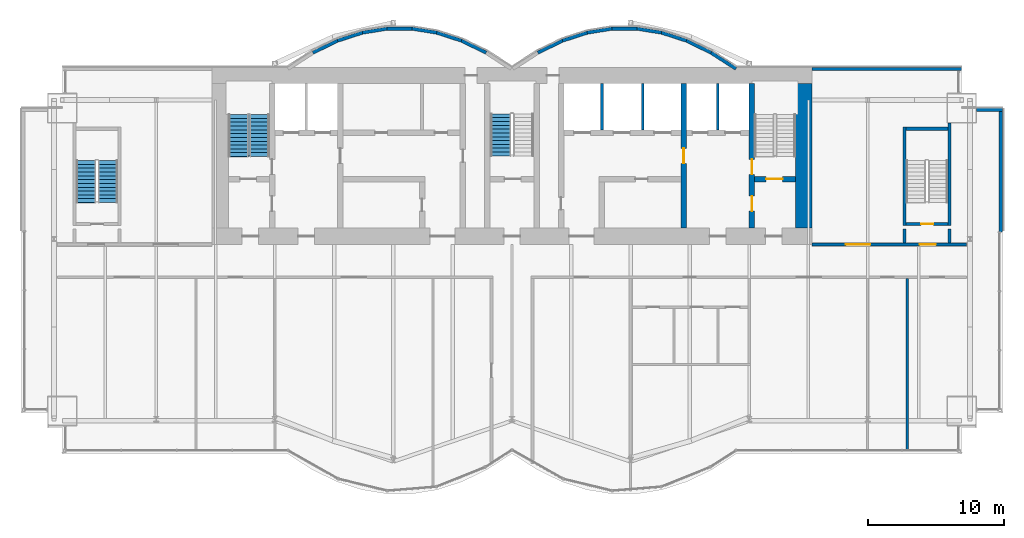
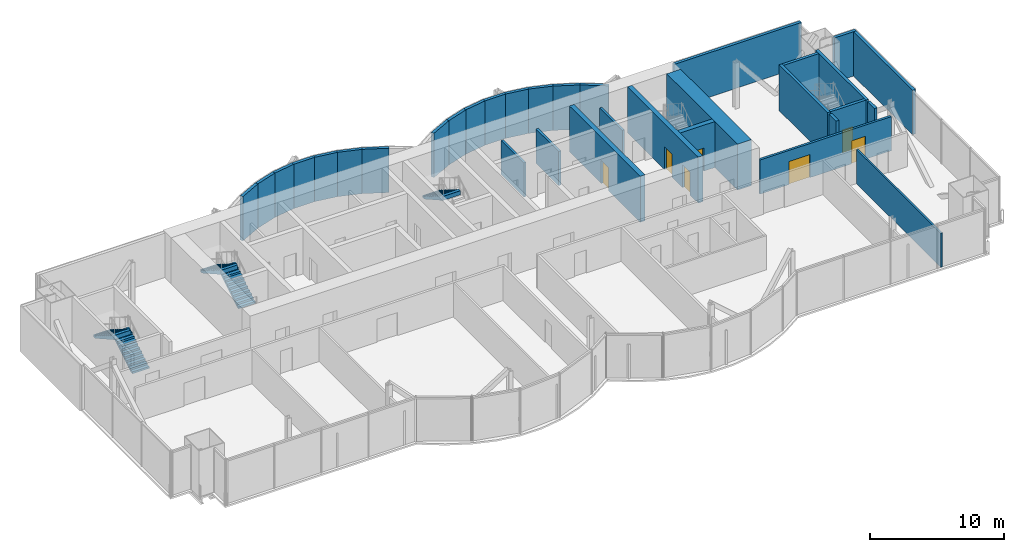
# One storey, part 15 of 19: 33 walls, 7 doors, 5 stair flights, 7 openings, 3 elements without a shape of their own.
"""IFC4 building model written with IfcOpenShell, lengths in metres."""

from ifc_helpers import new_model, si_unit, direction, frame, frame_2d, origin, place, context, subcontext, project, spatial, polyline, rectangle, outline, extrude, material, layer, layer_set, layer_usage, type_object, element, fill, aggregate, save


model = new_model("IFC4")

# Units and contexts
model_context = context("Model", 3, precision=1e-05, world=origin(), true_north=direction((0.0, 1.0)))
body_context = subcontext(model_context, "Body", "Model", "MODEL_VIEW")
ifc_project = project(units=[si_unit("LENGTHUNIT", "METRE"), si_unit("AREAUNIT", "SQUARE_METRE"), si_unit("VOLUMEUNIT", "CUBIC_METRE"), si_unit("PLANEANGLEUNIT", "RADIAN"), si_unit("MASSUNIT", "GRAM", prefix="KILO")], contexts=[model_context])

# Site, building, storey
site_placement = place(None, origin())
site = spatial("IfcSite", under=ifc_project, at=site_placement, CompositionType="ELEMENT")
building_placement = place(site_placement, origin())
building = spatial("IfcBuilding", under=site, at=building_placement, Name="Bicima Exchange Tower", CompositionType="ELEMENT")
storey_placement = place(building_placement, frame((0.0, 0.0, 275.0)))
storey = spatial("IfcBuildingStorey", under=building, at=storey_placement, Name="L62", CompositionType="ELEMENT", Elevation=275.0)

# Walls
ifc_material_1 = material(Name="Gypsum board partition")
ifc_layer_1 = layer(ifc_material_1, 0.199951171875)
ifc_layer_set_1 = layer_set([ifc_layer_1], Name="Gypsum board partition")
wall_type_1 = type_object("IfcWallType", Name="Fire-rated gypsum partition 200 EI120", PredefinedType="PARTITIONING", material=ifc_layer_set_1)
for number, where, z_axis, x_axis, name in (
    (1, (6.60009765625, -4.60009765625, 0.0), (0.0, 0.0, 1.0), (0.0, 1.0, 0.0), "partition wall 18"),
    (2, (9.60009765625, -4.60009765625, 0.0), (0.0, 0.0, 1.0), (0.0, 1.0, 0.0), "partition wall 19"),
    (3, (15.10009765625, -4.60009765625, 0.0), (0.0, 0.0, 1.0), (0.0, 1.0, 0.0), "partition wall 21"),
):
    element("IfcWall", number, at=place(storey_placement, frame(where, z_axis=z_axis, x_axis=x_axis)), inside=storey, type_object=wall_type_1, Name=name, PredefinedType="PARTITIONING", context=body_context, shape_type="SweptSolid", body=[
        extrude(rectangle(XDim=3.400146484375, YDim=0.199951171875, at=frame_2d((1.7001953125, 0.0))), origin(), (0.0, 0.0, 1.0), 3.1181640625),
    ])

# Wall, openings, doors
ifc_layer_2 = layer(ifc_material_1, 0.199951171875)
ifc_layer_set_2 = layer_set([ifc_layer_2], Name="Gypsum board partition")
wall_type_2 = type_object("IfcWallType", Name="Fire-rated gypsum partition 200 EI60", PredefinedType="PARTITIONING", material=ifc_layer_set_2)
wall_1_placement = place(storey_placement, frame((22.0, -13.0, 0.0), z_axis=(0.0, 0.0, 1.0), x_axis=(1.0, 0.0, 0.0)))
wall_1 = element("IfcWall", 4, at=wall_1_placement, inside=storey, type_object=wall_type_2, Name="partition wall 6", PredefinedType="PARTITIONING", context=body_context, shape_type="SweptSolid", body=[
    extrude(rectangle(XDim=11.340087890625, YDim=0.199951171875, at=frame_2d((5.669921875, 0.0))), origin(), (0.0, 0.0, 1.0), 3.1181640625),
])
opening_1_placement = place(wall_1_placement, frame((7.89990234375, 0.0, 0.0)))
opening_1 = element("IfcOpeningElement", 5, at=opening_1_placement, cuts=wall_1, Name="Opening L62-003", PredefinedType="OPENING", context=body_context, shape_type="SweptSolid", body=[
    extrude(rectangle(XDim=1.199951171875, YDim=2.10009765625, at=frame_2d((0.60009765625, 1.050048828125))), frame((0.0, 0.11181640625, 0.0), z_axis=(0.0, -1.0, 0.0), x_axis=(1.0, 0.0, 0.0)), (0.0, 0.0, 1.0), 0.223876953125),
])
opening_2_placement = place(wall_1_placement, frame((2.5, 0.0, 0.0)))
opening_2 = element("IfcOpeningElement", 6, at=opening_2_placement, cuts=wall_1, Name="Opening L62-006", PredefinedType="OPENING", context=body_context, shape_type="SweptSolid", body=[
    extrude(rectangle(XDim=1.800048828125, YDim=2.10009765625, at=frame_2d((0.89990234375, 1.050048828125))), frame((0.0, 0.11181640625, 0.0), z_axis=(0.0, -1.0, 0.0), x_axis=(1.0, 0.0, 0.0)), (0.0, 0.0, 1.0), 0.223876953125),
])
ifc_material_2 = material(Name="Steel fire door leaf", Category="steel")
door_type_1 = type_object("IfcDoorType", Name="Door 1200 swing FD30S", OperationType="SINGLE_SWING_LEFT", PredefinedType="DOOR", material=ifc_material_2)
door_1_placement = place(opening_1_placement, origin())
door_1 = element("IfcDoor", 7, at=door_1_placement, inside=storey, type_object=door_type_1, Name="Door", OperationType="SINGLE_SWING_RIGHT", OverallHeight=2.10009765625, OverallWidth=1.199951171875, PredefinedType="DOOR", context=body_context, shape_type="SweptSolid", body=[
    extrude(rectangle(XDim=1.199951171875, YDim=2.10009765625, at=frame_2d((0.60009765625, 1.050048828125))), frame((0.0, 0.02490234375, 0.0), z_axis=(0.0, -1.0, 0.0), x_axis=(1.0, 0.0, 0.0)), (0.0, 0.0, 1.0), 0.050048828125),
])
fill(opening_1, door_1)
door_type_2 = type_object("IfcDoorType", Name="Door 1800 double swing FD30S", OperationType="DOUBLE_DOOR_SINGLE_SWING", PredefinedType="DOOR", material=ifc_material_2)
door_2_placement = place(opening_2_placement, origin())
door_2 = element("IfcDoor", 8, at=door_2_placement, inside=storey, type_object=door_type_2, Name="Door", OperationType="SINGLE_SWING_LEFT", OverallHeight=2.10009765625, OverallWidth=1.800048828125, PredefinedType="DOOR", context=body_context, shape_type="SweptSolid", body=[
    extrude(rectangle(XDim=1.800048828125, YDim=2.10009765625, at=frame_2d((0.89990234375, 1.050048828125))), frame((0.0, 0.02490234375, 0.0), z_axis=(0.0, -1.0, 0.0), x_axis=(1.0, 0.0, 0.0)), (0.0, 0.0, 1.0), 0.050048828125),
])
fill(opening_2, door_2)

# Walls
ifc_layer_3 = layer(ifc_material_1, 0.14990234375)
ifc_layer_set_3 = layer_set([ifc_layer_3], Name="Gypsum board partition")
wall_type_3 = type_object("IfcWallType", Name="Gypsum partition 150", PredefinedType="PARTITIONING", material=ifc_layer_set_3)
wall_2_placement = place(storey_placement, frame((29.0, -28.1298828125, 0.0), z_axis=(0.0, 0.0, 1.0), x_axis=(0.0, 1.0, 0.0)))
element("IfcWall", 9, at=wall_2_placement, inside=storey, type_object=wall_type_3, Name="partition wall 26", PredefinedType="PARTITIONING", context=body_context, shape_type="SweptSolid", body=[
    extrude(rectangle(XDim=12.6298828125, YDim=0.14990234375, at=frame_2d((6.31494140625, 0.0))), origin(), (0.0, 0.0, 1.0), 3.1181640625),
])
ifc_material_3 = material(Name="Concrete C40/50", Category="concrete")
ifc_layer_4 = layer(ifc_material_3, 1.199951171875)
ifc_layer_set_4 = layer_set([ifc_layer_4], Name="Concrete C40/50")
wall_type_4 = type_object("IfcWallType", Name="RC core wall 1200 C40/50", PredefinedType="SHEAR", material=ifc_layer_set_4)
wall_3_placement = place(storey_placement, frame((21.39990234375, -11.800048828125, 0.0), z_axis=(0.0, 0.0, 1.0), x_axis=(0.0, 1.0, 0.0)))
element("IfcWall", 10, at=wall_3_placement, inside=storey, type_object=wall_type_4, Name="Core wall east", PredefinedType="SHEAR", context=body_context, shape_type="SweptSolid", body=[
    extrude(rectangle(XDim=10.60009765625, YDim=1.199951171875, at=frame_2d((5.300048828125, 0.0))), origin(), (0.0, 0.0, 1.0), 4.199951171875),
])
ifc_material_4 = material(Name="Concrete C50/60", Category="concrete")
ifc_layer_5 = layer(ifc_material_4, 0.25)
ifc_layer_set_5 = layer_set([ifc_layer_5], Name="Concrete C50/60")
wall_type_5 = type_object("IfcWallType", Name="RC core wall 250 C50/60", PredefinedType="SHEAR", material=ifc_layer_set_5)
for number, where, z_axis, x_axis, name in (
    (11, (28.800048828125, -12.89990234375, 0.0), (0.0, 0.0, 1.0), (0.0, 1.0, 0.0), "stair wall 25"),
    (12, (32.10009765625, -12.89990234375, 0.0), (0.0, 0.0, 1.0), (0.0, 1.0, 0.0), "stair wall 27"),
):
    element("IfcWall", number, at=place(storey_placement, frame(where, z_axis=z_axis, x_axis=x_axis)), inside=storey, type_object=wall_type_5, Name=name, PredefinedType="SHEAR", context=body_context, shape_type="SweptSolid", body=[
        extrude(rectangle(XDim=1.0498046875, YDim=0.25, at=frame_2d((0.52490234375, 0.0))), origin(), (0.0, 0.0, 1.0), 4.199951171875),
    ])

# Wall, opening, door
ifc_layer_6 = layer(ifc_material_3, 0.39990234375)
ifc_layer_set_6 = layer_set([ifc_layer_6], Name="Concrete C40/50")
wall_type_6 = type_object("IfcWallType", Name="RC core wall 400 C40/50", PredefinedType="SHEAR", material=ifc_layer_set_6)
wall_4_placement = place(storey_placement, frame((12.60009765625, -11.800048828125, 0.0), z_axis=(0.0, 0.0, 1.0), x_axis=(0.0, 1.0, 0.0)))
wall_4 = element("IfcWall", 13, at=wall_4_placement, inside=storey, type_object=wall_type_6, Name="shear wall 20", PredefinedType="SHEAR", context=body_context, shape_type="SweptSolid", body=[
    extrude(rectangle(XDim=10.60009765625, YDim=0.39990234375, at=frame_2d((5.300048828125, 0.0))), origin(), (0.0, 0.0, 1.0), 4.199951171875),
])
opening_3_placement = place(wall_4_placement, frame((4.75, 0.0, 0.0)))
opening_3 = element("IfcOpeningElement", 14, at=opening_3_placement, cuts=wall_4, Name="Opening L62-C09", PredefinedType="OPENING", context=body_context, shape_type="SweptSolid", body=[
    extrude(rectangle(XDim=1.10009765625, YDim=2.10009765625, at=frame_2d((0.550048828125, 1.050048828125))), frame((0.0, 0.2119140625, 0.0), z_axis=(0.0, -1.0, 0.0), x_axis=(1.0, 0.0, 0.0)), (0.0, 0.0, 1.0), 0.423828125),
])
door_type_3 = type_object("IfcDoorType", Name="Door 1100 swing FD60S", OperationType="SINGLE_SWING_LEFT", PredefinedType="DOOR", material=ifc_material_2)
door_3_placement = place(opening_3_placement, frame((1.10009765625, 0.0, 0.0), z_axis=(0.0, 0.0, 1.0), x_axis=(-1.0, 0.0, 0.0)))
door_3 = element("IfcDoor", 15, at=door_3_placement, inside=storey, type_object=door_type_3, Name="Core door", OperationType="SINGLE_SWING_RIGHT", OverallHeight=2.10009765625, OverallWidth=1.10009765625, PredefinedType="DOOR", context=body_context, shape_type="SweptSolid", body=[
    extrude(rectangle(XDim=1.10009765625, YDim=2.10009765625, at=frame_2d((0.550048828125, 1.050048828125))), frame((0.0, 0.02490234375, 0.0), z_axis=(0.0, -1.0, 0.0), x_axis=(1.0, 0.0, 0.0)), (0.0, 0.0, 1.0), 0.050048828125),
])
fill(opening_3, door_3)

ifc_layer_7 = layer(ifc_material_4, 0.39990234375)
ifc_layer_set_7 = layer_set([ifc_layer_7], Name="Concrete C50/60")
wall_type_7 = type_object("IfcWallType", Name="RC core wall 400 C50/60", PredefinedType="SHEAR", material=ifc_layer_set_7)
wall_5_placement = place(storey_placement, frame((17.800048828125, -8.199951171875, 0.0), z_axis=(0.0, 0.0, 1.0), x_axis=(1.0, 0.0, 0.0)))
wall_5 = element("IfcWall", 16, at=wall_5_placement, inside=storey, type_object=wall_type_7, Name="stair wall 5", PredefinedType="SHEAR", context=body_context, shape_type="SweptSolid", body=[
    extrude(rectangle(XDim=3.0, YDim=0.39990234375, at=frame_2d((1.5, 0.0))), origin(), (0.0, 0.0, 1.0), 4.199951171875),
])
opening_4_placement = place(wall_5_placement, frame((0.85009765625, 0.0, 0.0)))
opening_4 = element("IfcOpeningElement", 17, at=opening_4_placement, cuts=wall_5, Name="Opening L62-C04", PredefinedType="OPENING", context=body_context, shape_type="SweptSolid", body=[
    extrude(rectangle(XDim=1.199951171875, YDim=2.10009765625, at=frame_2d((0.60009765625, 1.050048828125))), frame((0.0, 0.2119140625, 0.0), z_axis=(0.0, -1.0, 0.0), x_axis=(1.0, 0.0, 0.0)), (0.0, 0.0, 1.0), 0.423828125),
])
door_type_4 = type_object("IfcDoorType", Name="Door 1200 swing FD60S", OperationType="SINGLE_SWING_LEFT", PredefinedType="DOOR", material=ifc_material_2)
door_4_placement = place(opening_4_placement, origin())
door_4 = element("IfcDoor", 18, at=door_4_placement, inside=storey, type_object=door_type_4, Name="Core door", OperationType="SINGLE_SWING_RIGHT", OverallHeight=2.10009765625, OverallWidth=1.199951171875, PredefinedType="DOOR", context=body_context, shape_type="SweptSolid", body=[
    extrude(rectangle(XDim=1.199951171875, YDim=2.10009765625, at=frame_2d((0.60009765625, 1.050048828125))), frame((0.0, 0.02490234375, 0.0), z_axis=(0.0, -1.0, 0.0), x_axis=(1.0, 0.0, 0.0)), (0.0, 0.0, 1.0), 0.050048828125),
])
fill(opening_4, door_4)

# Wall, openings, doors
wall_6_placement = place(storey_placement, frame((17.60009765625, -11.800048828125, 0.0), z_axis=(0.0, 0.0, 1.0), x_axis=(0.0, 1.0, 0.0)))
wall_6 = element("IfcWall", 19, at=wall_6_placement, inside=storey, type_object=wall_type_7, Name="stair wall 22", PredefinedType="SHEAR", context=body_context, shape_type="SweptSolid", body=[
    extrude(rectangle(XDim=10.60009765625, YDim=0.39990234375, at=frame_2d((5.300048828125, 0.0))), origin(), (0.0, 0.0, 1.0), 4.199951171875),
])
opening_5_placement = place(wall_6_placement, frame((1.25, 0.0, 0.0)))
opening_5 = element("IfcOpeningElement", 20, at=opening_5_placement, cuts=wall_6, Name="Opening L62-C05", PredefinedType="OPENING", context=body_context, shape_type="SweptSolid", body=[
    extrude(rectangle(XDim=1.10009765625, YDim=2.10009765625, at=frame_2d((0.550048828125, 1.050048828125))), frame((0.0, 0.2119140625, 0.0), z_axis=(0.0, -1.0, 0.0), x_axis=(1.0, 0.0, 0.0)), (0.0, 0.0, 1.0), 0.423828125),
])
opening_6_placement = place(wall_6_placement, frame((3.949951171875, 0.0, 0.0)))
opening_6 = element("IfcOpeningElement", 21, at=opening_6_placement, cuts=wall_6, Name="Opening L62-C08", PredefinedType="OPENING", context=body_context, shape_type="SweptSolid", body=[
    extrude(rectangle(XDim=1.10009765625, YDim=2.10009765625, at=frame_2d((0.550048828125, 1.050048828125))), frame((0.0, 0.2119140625, 0.0), z_axis=(0.0, -1.0, 0.0), x_axis=(1.0, 0.0, 0.0)), (0.0, 0.0, 1.0), 0.423828125),
])
door_5_placement = place(opening_5_placement, origin())
door_5 = element("IfcDoor", 22, at=door_5_placement, inside=storey, type_object=door_type_3, Name="Core door", OperationType="SINGLE_SWING_LEFT", OverallHeight=2.10009765625, OverallWidth=1.10009765625, PredefinedType="DOOR", context=body_context, shape_type="SweptSolid", body=[
    extrude(rectangle(XDim=1.10009765625, YDim=2.10009765625, at=frame_2d((0.550048828125, 1.050048828125))), frame((0.0, 0.02490234375, 0.0), z_axis=(0.0, -1.0, 0.0), x_axis=(1.0, 0.0, 0.0)), (0.0, 0.0, 1.0), 0.050048828125),
])
fill(opening_5, door_5)
door_6_placement = place(opening_6_placement, origin())
door_6 = element("IfcDoor", 23, at=door_6_placement, inside=storey, type_object=door_type_3, Name="Core door", OperationType="SINGLE_SWING_RIGHT", OverallHeight=2.10009765625, OverallWidth=1.10009765625, PredefinedType="DOOR", context=body_context, shape_type="SweptSolid", body=[
    extrude(rectangle(XDim=1.10009765625, YDim=2.10009765625, at=frame_2d((0.550048828125, 1.050048828125))), frame((0.0, 0.02490234375, 0.0), z_axis=(0.0, -1.0, 0.0), x_axis=(1.0, 0.0, 0.0)), (0.0, 0.0, 1.0), 0.050048828125),
])
fill(opening_6, door_6)

# Walls
ifc_layer_8 = layer(ifc_material_4, 0.25)
ifc_layer_set_8 = layer_set([ifc_layer_8], Name="Concrete C50/60")
wall_type_8 = type_object("IfcWallType", Name="RC stair enclosure wall 250 C50/60", PredefinedType="SHEAR", material=ifc_layer_set_8)
wall_7_placement = place(storey_placement, frame((28.800048828125, -11.625, 0.0), z_axis=(0.0, 0.0, 1.0), x_axis=(0.0, 1.0, 0.0)))
element("IfcWall", 24, at=wall_7_placement, inside=storey, type_object=wall_type_8, Name="East end exit stair wall W", PredefinedType="SHEAR", context=body_context, shape_type="SweptSolid", body=[
    extrude(rectangle(XDim=7.25, YDim=0.25, at=frame_2d((3.625, 0.0))), origin(), (0.0, 0.0, 1.0), 4.199951171875),
])
wall_8_placement = place(storey_placement, frame((32.10009765625, -11.625, 0.0), z_axis=(0.0, 0.0, 1.0), x_axis=(0.0, 1.0, 0.0)))
element("IfcWall", 25, at=wall_8_placement, inside=storey, type_object=wall_type_8, Name="East end exit stair wall E", PredefinedType="SHEAR", context=body_context, shape_type="SweptSolid", body=[
    extrude(rectangle(XDim=7.52490234375, YDim=0.25, at=frame_2d((3.762451171875, 0.0))), origin(), (0.0, 0.0, 1.0), 4.199951171875),
])

# Wall, opening, door
wall_9_placement = place(storey_placement, frame((28.925048828125, -11.5, 0.0), z_axis=(0.0, 0.0, 1.0), x_axis=(1.0, 0.0, 0.0)))
wall_9 = element("IfcWall", 26, at=wall_9_placement, inside=storey, type_object=wall_type_8, Name="East end exit stair wall S", PredefinedType="SHEAR", context=body_context, shape_type="SweptSolid", body=[
    extrude(rectangle(XDim=3.050048828125, YDim=0.25, at=frame_2d((1.52490234375, 0.0))), origin(), (0.0, 0.0, 1.0), 4.199951171875),
])
opening_7_placement = place(wall_9_placement, frame((1.10009765625, 0.0, 0.0)))
opening_7 = element("IfcOpeningElement", 27, at=opening_7_placement, cuts=wall_9, Name="Opening L62-004", PredefinedType="OPENING", context=body_context, shape_type="SweptSolid", body=[
    extrude(rectangle(XDim=0.89990234375, YDim=2.10009765625, at=frame_2d((0.449951171875, 1.050048828125))), frame((0.0, 0.136962890625, 0.0), z_axis=(0.0, -1.0, 0.0), x_axis=(1.0, 0.0, 0.0)), (0.0, 0.0, 1.0), 0.27392578125),
])
door_type_5 = type_object("IfcDoorType", Name="Door 900 swing FD60S", OperationType="SINGLE_SWING_LEFT", PredefinedType="DOOR", material=ifc_material_2)
door_7_placement = place(opening_7_placement, origin())
door_7 = element("IfcDoor", 28, at=door_7_placement, inside=storey, type_object=door_type_5, Name="Door", OperationType="SINGLE_SWING_LEFT", OverallHeight=2.10009765625, OverallWidth=0.89990234375, PredefinedType="DOOR", context=body_context, shape_type="SweptSolid", body=[
    extrude(rectangle(XDim=0.89990234375, YDim=2.10009765625, at=frame_2d((0.449951171875, 1.050048828125))), frame((0.0, 0.02490234375, 0.0), z_axis=(0.0, -1.0, 0.0), x_axis=(1.0, 0.0, 0.0)), (0.0, 0.0, 1.0), 0.050048828125),
])
fill(opening_7, door_7)

# Walls
wall_10_placement = place(storey_placement, frame((28.925048828125, -4.5, 0.0), z_axis=(0.0, 0.0, 1.0), x_axis=(1.0, 0.0, 0.0)))
element("IfcWall", 29, at=wall_10_placement, inside=storey, type_object=wall_type_8, Name="East end exit stair wall N", PredefinedType="SHEAR", context=body_context, shape_type="SweptSolid", body=[
    extrude(rectangle(XDim=3.050048828125, YDim=0.25, at=frame_2d((1.52490234375, 0.0))), origin(), (0.0, 0.0, 1.0), 4.199951171875),
])
ifc_layer_9 = layer(ifc_material_3, 0.25)
ifc_layer_set_9 = layer_set([ifc_layer_9], Name="Concrete C40/50")
ifc_layer_usage = layer_usage(ifc_layer_set_9, "AXIS2", "POSITIVE", -0.125)
wall_type_9 = type_object("IfcWallType", Name="Rear backup wall 250", PredefinedType="STANDARD", material=ifc_layer_set_9)
wall_11_placement = place(storey_placement, frame((33.0, -0.125, 0.0), z_axis=(0.0, 0.0, 1.0), x_axis=(-1.0, 0.0, 0.0)))
element("IfcWall", 30, at=wall_11_placement, inside=storey, type_object=wall_type_9, material=ifc_layer_usage, Name="Rear backup wall L62 1", PredefinedType="STANDARD", context=body_context, shape_type="SweptSolid", body=[
    extrude(rectangle(XDim=11.0, YDim=0.25, at=frame_2d((5.5, 0.0))), origin(), (0.0, 0.0, 1.0), 4.050048828125),
])
wall_12_placement = place(storey_placement, frame((16.43212890625, -0.10498046875, 0.0), z_axis=(0.0, 0.0, 1.0), x_axis=(-0.83981312244, 0.542875602121, 0.0)))
element("IfcWall", 31, at=wall_12_placement, inside=storey, type_object=wall_type_9, material=ifc_layer_usage, Name="Rear backup wall L62 2", PredefinedType="STANDARD", context=body_context, shape_type="SweptSolid", body=[
    extrude(rectangle(XDim=2.182861328125, YDim=0.25, at=frame_2d((1.09130859375, 0.0))), origin(), (0.0, 0.0, 1.0), 4.050048828125),
])
wall_13_placement = place(storey_placement, frame((14.6123046875, 1.07275390625, 0.0), z_axis=(0.0, 0.0, 1.0), x_axis=(-0.89982408427, 0.436252928206, 0.0)))
element("IfcWall", 32, at=wall_13_placement, inside=storey, type_object=wall_type_9, material=ifc_layer_usage, Name="Rear backup wall L62 3", PredefinedType="STANDARD", context=body_context, shape_type="SweptSolid", body=[
    extrude(rectangle(XDim=2.03759765625, YDim=0.25, at=frame_2d((1.018798828125, 0.0))), origin(), (0.0, 0.0, 1.0), 4.050048828125),
])
wall_14_placement = place(storey_placement, frame((12.794921875, 1.955078125, 0.0), z_axis=(0.0, 0.0, 1.0), x_axis=(-0.951495806175, 0.307661714928, 0.0)))
element("IfcWall", 33, at=wall_14_placement, inside=storey, type_object=wall_type_9, material=ifc_layer_usage, Name="Rear backup wall L62 4", PredefinedType="STANDARD", context=body_context, shape_type="SweptSolid", body=[
    extrude(rectangle(XDim=1.9267578125, YDim=0.25, at=frame_2d((0.96337890625, 0.0))), origin(), (0.0, 0.0, 1.0), 4.050048828125),
])
wall_15_placement = place(storey_placement, frame((10.97998046875, 2.543212890625, 0.0), z_axis=(0.0, 0.0, 1.0), x_axis=(-0.987181718931, 0.159600293885, 0.0)))
element("IfcWall", 34, at=wall_15_placement, inside=storey, type_object=wall_type_9, material=ifc_layer_usage, Name="Rear backup wall L62 5", PredefinedType="STANDARD", context=body_context, shape_type="SweptSolid", body=[
    extrude(rectangle(XDim=1.857177734375, YDim=0.25, at=frame_2d((0.9287109375, 0.0))), origin(), (0.0, 0.0, 1.0), 4.050048828125),
])
wall_16_placement = place(storey_placement, frame((9.166748046875, 2.837890625, 0.0), z_axis=(0.0, 0.0, 1.0), x_axis=(-1.0, 0.0, 0.0)))
element("IfcWall", 35, at=wall_16_placement, inside=storey, type_object=wall_type_9, material=ifc_layer_usage, Name="Rear backup wall L62 6", PredefinedType="STANDARD", context=body_context, shape_type="SweptSolid", body=[
    extrude(rectangle(XDim=1.83349609375, YDim=0.25, at=frame_2d((0.916748046875, 0.0))), origin(), (0.0, 0.0, 1.0), 4.050048828125),
])
wall_17_placement = place(storey_placement, frame((7.353271484375, 2.839599609375, 0.0), z_axis=(0.0, 0.0, 1.0), x_axis=(-0.987181718931, -0.159600293885, 0.0)))
element("IfcWall", 36, at=wall_17_placement, inside=storey, type_object=wall_type_9, material=ifc_layer_usage, Name="Rear backup wall L62 7", PredefinedType="STANDARD", context=body_context, shape_type="SweptSolid", body=[
    extrude(rectangle(XDim=1.857177734375, YDim=0.25, at=frame_2d((0.9287109375, 0.0))), origin(), (0.0, 0.0, 1.0), 4.050048828125),
])
wall_18_placement = place(storey_placement, frame((5.538330078125, 2.5478515625, 0.0), z_axis=(0.0, 0.0, 1.0), x_axis=(-0.951495806175, -0.307661714928, 0.0)))
element("IfcWall", 37, at=wall_18_placement, inside=storey, type_object=wall_type_9, material=ifc_layer_usage, Name="Rear backup wall L62 8", PredefinedType="STANDARD", context=body_context, shape_type="SweptSolid", body=[
    extrude(rectangle(XDim=1.9267578125, YDim=0.25, at=frame_2d((0.96337890625, 0.0))), origin(), (0.0, 0.0, 1.0), 4.050048828125),
])
for number, where, z_axis, x_axis, name in (
    (38, (3.72119140625, 1.961669921875, 0.0), (0.0, 0.0, 1.0), (-0.89982408427, -0.436252928206, 0.0), "Rear backup wall L62 9"),
    (39, (-1.8876953125, 1.07275390625, 0.0), (0.0, 0.0, 1.0), (-0.89982408427, 0.436252928206, 0.0), "Rear backup wall L62 12"),
):
    element("IfcWall", number, at=place(storey_placement, frame(where, z_axis=z_axis, x_axis=x_axis)), inside=storey, type_object=wall_type_9, material=ifc_layer_usage, Name=name, PredefinedType="STANDARD", context=body_context, shape_type="SweptSolid", body=[
        extrude(rectangle(XDim=2.03759765625, YDim=0.25, at=frame_2d((1.018798828125, 0.0))), origin(), (0.0, 0.0, 1.0), 4.050048828125),
    ])
wall_19_placement = place(storey_placement, frame((-3.705078125, 1.955078125, 0.0), z_axis=(0.0, 0.0, 1.0), x_axis=(-0.951495806175, 0.307661714928, 0.0)))
element("IfcWall", 40, at=wall_19_placement, inside=storey, type_object=wall_type_9, material=ifc_layer_usage, Name="Rear backup wall L62 13", PredefinedType="STANDARD", context=body_context, shape_type="SweptSolid", body=[
    extrude(rectangle(XDim=1.9267578125, YDim=0.25, at=frame_2d((0.96337890625, 0.0))), origin(), (0.0, 0.0, 1.0), 4.050048828125),
])
wall_20_placement = place(storey_placement, frame((-5.52001953125, 2.543212890625, 0.0), z_axis=(0.0, 0.0, 1.0), x_axis=(-0.987181718931, 0.159600293885, 0.0)))
element("IfcWall", 41, at=wall_20_placement, inside=storey, type_object=wall_type_9, material=ifc_layer_usage, Name="Rear backup wall L62 14", PredefinedType="STANDARD", context=body_context, shape_type="SweptSolid", body=[
    extrude(rectangle(XDim=1.857177734375, YDim=0.25, at=frame_2d((0.9287109375, 0.0))), origin(), (0.0, 0.0, 1.0), 4.050048828125),
])
wall_21_placement = place(storey_placement, frame((-7.333251953125, 2.837890625, 0.0), z_axis=(0.0, 0.0, 1.0), x_axis=(-1.0, 0.0, 0.0)))
element("IfcWall", 42, at=wall_21_placement, inside=storey, type_object=wall_type_9, material=ifc_layer_usage, Name="Rear backup wall L62 15", PredefinedType="STANDARD", context=body_context, shape_type="SweptSolid", body=[
    extrude(rectangle(XDim=1.83349609375, YDim=0.25, at=frame_2d((0.916748046875, 0.0))), origin(), (0.0, 0.0, 1.0), 4.050048828125),
])
wall_22_placement = place(storey_placement, frame((-9.146728515625, 2.839599609375, 0.0), z_axis=(0.0, 0.0, 1.0), x_axis=(-0.987181718931, -0.159600293885, 0.0)))
element("IfcWall", 43, at=wall_22_placement, inside=storey, type_object=wall_type_9, material=ifc_layer_usage, Name="Rear backup wall L62 16", PredefinedType="STANDARD", context=body_context, shape_type="SweptSolid", body=[
    extrude(rectangle(XDim=1.857177734375, YDim=0.25, at=frame_2d((0.9287109375, 0.0))), origin(), (0.0, 0.0, 1.0), 4.050048828125),
])
wall_23_placement = place(storey_placement, frame((-10.961669921875, 2.5478515625, 0.0), z_axis=(0.0, 0.0, 1.0), x_axis=(-0.951495806175, -0.307661714928, 0.0)))
element("IfcWall", 44, at=wall_23_placement, inside=storey, type_object=wall_type_9, material=ifc_layer_usage, Name="Rear backup wall L62 17", PredefinedType="STANDARD", context=body_context, shape_type="SweptSolid", body=[
    extrude(rectangle(XDim=1.9267578125, YDim=0.25, at=frame_2d((0.96337890625, 0.0))), origin(), (0.0, 0.0, 1.0), 4.050048828125),
])
wall_24_placement = place(storey_placement, frame((-12.77880859375, 1.961669921875, 0.0), z_axis=(0.0, 0.0, 1.0), x_axis=(-0.89982408427, -0.436252928206, 0.0)))
element("IfcWall", 45, at=wall_24_placement, inside=storey, type_object=wall_type_9, material=ifc_layer_usage, Name="Rear backup wall L62 18", PredefinedType="STANDARD", context=body_context, shape_type="SweptSolid", body=[
    extrude(rectangle(XDim=2.03759765625, YDim=0.25, at=frame_2d((1.018798828125, 0.0))), origin(), (0.0, 0.0, 1.0), 4.050048828125),
])
wall_25_placement = place(storey_placement, frame((35.875, -12.090087890625, 0.0), z_axis=(0.0, 0.0, 1.0), x_axis=(0.0, 1.0, 0.0)))
element("IfcWall", 46, at=wall_25_placement, inside=storey, type_object=wall_type_9, material=ifc_layer_usage, Name="Rear backup wall L62 50", PredefinedType="STANDARD", context=body_context, shape_type="SweptSolid", body=[
    extrude(rectangle(XDim=9.090087890625, YDim=0.25, at=frame_2d((4.544921875, 0.0))), origin(), (0.0, 0.0, 1.0), 4.050048828125),
])
wall_26_placement = place(storey_placement, frame((36.0, -3.125, 0.0), z_axis=(0.0, 0.0, 1.0), x_axis=(-1.0, 0.0, 0.0)))
element("IfcWall", 47, at=wall_26_placement, inside=storey, type_object=wall_type_9, material=ifc_layer_usage, Name="Rear backup wall L62 51", PredefinedType="STANDARD", context=body_context, shape_type="SweptSolid", body=[
    extrude(rectangle(XDim=1.89990234375, YDim=0.25, at=frame_2d((0.949951171875, 0.0))), origin(), (0.0, 0.0, 1.0), 4.050048828125),
])

# Stair, stair flights
stair_type_1 = type_object("IfcStairType", Name="Exit stair", PredefinedType="HALF_TURN_STAIR", material=ifc_material_4)
stair_1_placement = place(storey_placement, origin())
stair_1 = element("IfcStair", 48, at=stair_1_placement, inside=storey, type_object=stair_type_1, Name="L62 West exit stair", PredefinedType="HALF_TURN_STAIR")
stair_flight_type_1 = type_object("IfcStairFlightType", Name="Stair flight RC", PredefinedType="STRAIGHT", material=ifc_material_4)
stair_flight_1_placement = place(storey_placement, frame((-18.52490234375, -6.550048828125, 0.0), z_axis=(0.0, 0.0, 1.0), x_axis=(0.0, 1.0, 0.0)))
stair_flight_1 = element("IfcStairFlight", 49, at=stair_flight_1_placement, type_object=stair_flight_type_1, Name="ST-W flight 1", NumberOfRisers=12, NumberOfTreads=11, PredefinedType="STRAIGHT", RiserHeight=0.175, TreadLength=0.28, context=body_context, shape_type="SweptSolid", body=[
    extrude(outline(polyline([(0.0, 0.0), (0.0, 0.175048828125), (0.280029296875, 0.175048828125), (0.280029296875, 0.35009765625), (0.56005859375, 0.35009765625), (0.56005859375, 0.52490234375), (0.840087890625, 0.52490234375), (0.840087890625, 0.699951171875), (1.1201171875, 0.699951171875), (1.1201171875, 0.875), (1.39990234375, 0.875), (1.39990234375, 1.050048828125), (1.679931640625, 1.050048828125), (1.679931640625, 1.22509765625), (1.9599609375, 1.22509765625), (1.9599609375, 1.39990234375), (2.239990234375, 1.39990234375), (2.239990234375, 1.574951171875), (2.52001953125, 1.574951171875), (2.52001953125, 1.75), (2.800048828125, 1.75), (2.800048828125, 1.925048828125), (3.080078125, 1.925048828125), (3.080078125, 2.10009765625), (3.080078125, 1.748291015625), (0.28271484375, 0.0), (0.0, 0.0)])), frame((0.0, 0.72509765625, 0.0), z_axis=(0.0, -1.0, 0.0), x_axis=(1.0, 0.0, 0.0)), (0.0, 0.0, 1.0), 1.449951171875),
])
stair_flight_2_placement = place(storey_placement, frame((-20.074951171875, -3.469970703125, 2.10009765625), z_axis=(0.0, 0.0, 1.0), x_axis=(0.0, -1.0, 0.0)))
stair_flight_2 = element("IfcStairFlight", 50, at=stair_flight_2_placement, type_object=stair_flight_type_1, Name="ST-W flight 2", NumberOfRisers=12, NumberOfTreads=11, PredefinedType="STRAIGHT", RiserHeight=0.175, TreadLength=0.28, context=body_context, shape_type="SweptSolid", body=[
    extrude(outline(polyline([(0.0, 0.0), (0.0, 0.175048828125), (0.280029296875, 0.175048828125), (0.280029296875, 0.35009765625), (0.56005859375, 0.35009765625), (0.56005859375, 0.52490234375), (0.840087890625, 0.52490234375), (0.840087890625, 0.699951171875), (1.1201171875, 0.699951171875), (1.1201171875, 0.875), (1.39990234375, 0.875), (1.39990234375, 1.050048828125), (1.679931640625, 1.050048828125), (1.679931640625, 1.22509765625), (1.9599609375, 1.22509765625), (1.9599609375, 1.39990234375), (2.239990234375, 1.39990234375), (2.239990234375, 1.574951171875), (2.52001953125, 1.574951171875), (2.52001953125, 1.75), (2.800048828125, 1.75), (2.800048828125, 1.925048828125), (3.080078125, 1.925048828125), (3.080078125, 1.9541015625), (3.094970703125, 1.9541015625), (3.094970703125, 1.58251953125), (0.28271484375, 0.0), (0.0, 0.0)])), frame((0.0, 0.72509765625, 0.0), z_axis=(0.0, -1.0, 0.0), x_axis=(1.0, 0.0, 0.0)), (0.0, 0.0, 1.0), 1.449951171875),
])
aggregate(stair_1, [stair_flight_1, stair_flight_2])

stair_2_placement = place(storey_placement, origin())
stair_2 = element("IfcStair", 51, at=stair_2_placement, inside=storey, type_object=stair_type_1, Name="L62 West end exit stair", PredefinedType="HALF_TURN_STAIR")
stair_flight_3_placement = place(storey_placement, frame((-29.64990234375, -9.925048828125, 0.0), z_axis=(0.0, 0.0, 1.0), x_axis=(0.0, 1.0, 0.0)))
stair_flight_3 = element("IfcStairFlight", 52, at=stair_flight_3_placement, type_object=stair_flight_type_1, Name="ST-WW flight 1", NumberOfRisers=12, NumberOfTreads=11, PredefinedType="STRAIGHT", RiserHeight=0.175, TreadLength=0.28, context=body_context, shape_type="SweptSolid", body=[
    extrude(outline(polyline([(0.0, 0.0), (0.0, 0.175048828125), (0.280029296875, 0.175048828125), (0.280029296875, 0.35009765625), (0.56005859375, 0.35009765625), (0.56005859375, 0.52490234375), (0.840087890625, 0.52490234375), (0.840087890625, 0.699951171875), (1.1201171875, 0.699951171875), (1.1201171875, 0.875), (1.39990234375, 0.875), (1.39990234375, 1.050048828125), (1.679931640625, 1.050048828125), (1.679931640625, 1.22509765625), (1.9599609375, 1.22509765625), (1.9599609375, 1.39990234375), (2.239990234375, 1.39990234375), (2.239990234375, 1.574951171875), (2.52001953125, 1.574951171875), (2.52001953125, 1.75), (2.800048828125, 1.75), (2.800048828125, 1.925048828125), (3.080078125, 1.925048828125), (3.080078125, 2.10009765625), (3.080078125, 1.748291015625), (0.28271484375, 0.0), (0.0, 0.0)])), frame((0.0, 0.72509765625, 0.0), z_axis=(0.0, -1.0, 0.0), x_axis=(1.0, 0.0, 0.0)), (0.0, 0.0, 1.0), 1.449951171875),
])
stair_flight_4_placement = place(storey_placement, frame((-31.25, -6.844970703125, 2.10009765625), z_axis=(0.0, 0.0, 1.0), x_axis=(0.0, -1.0, 0.0)))
stair_flight_4 = element("IfcStairFlight", 53, at=stair_flight_4_placement, type_object=stair_flight_type_1, Name="ST-WW flight 2", NumberOfRisers=12, NumberOfTreads=11, PredefinedType="STRAIGHT", RiserHeight=0.175, TreadLength=0.28, context=body_context, shape_type="SweptSolid", body=[
    extrude(outline(polyline([(0.0, 0.0), (0.0, 0.175048828125), (0.280029296875, 0.175048828125), (0.280029296875, 0.35009765625), (0.56005859375, 0.35009765625), (0.56005859375, 0.52490234375), (0.840087890625, 0.52490234375), (0.840087890625, 0.699951171875), (1.1201171875, 0.699951171875), (1.1201171875, 0.875), (1.39990234375, 0.875), (1.39990234375, 1.050048828125), (1.679931640625, 1.050048828125), (1.679931640625, 1.22509765625), (1.9599609375, 1.22509765625), (1.9599609375, 1.39990234375), (2.239990234375, 1.39990234375), (2.239990234375, 1.574951171875), (2.52001953125, 1.574951171875), (2.52001953125, 1.75), (2.800048828125, 1.75), (2.800048828125, 1.925048828125), (3.080078125, 1.925048828125), (3.080078125, 1.9541015625), (3.094970703125, 1.9541015625), (3.094970703125, 1.58251953125), (0.28271484375, 0.0), (0.0, 0.0)])), frame((0.0, 0.72509765625, 0.0), z_axis=(0.0, -1.0, 0.0), x_axis=(1.0, 0.0, 0.0)), (0.0, 0.0, 1.0), 1.449951171875),
])
aggregate(stair_2, [stair_flight_3, stair_flight_4])

# Stair, stair flight
stair_type_2 = type_object("IfcStairType", Name="Exit stair 1500", PredefinedType="HALF_TURN_STAIR", material=ifc_material_4)
stair_3_placement = place(storey_placement, origin())
stair_3 = element("IfcStair", 54, at=stair_3_placement, inside=storey, type_object=stair_type_2, Name="L62 Central exit stair", PredefinedType="HALF_TURN_STAIR")
stair_flight_type_2 = type_object("IfcStairFlightType", Name="Stair flight RC 1500", PredefinedType="STRAIGHT", material=ifc_material_4)
stair_flight_5_placement = place(storey_placement, frame((-0.824951171875, -3.419921875, 2.10009765625), z_axis=(0.0, 0.0, 1.0), x_axis=(0.0, -1.0, 0.0)))
stair_flight_5 = element("IfcStairFlight", 55, at=stair_flight_5_placement, type_object=stair_flight_type_2, Name="ST-C flight 2", NumberOfRisers=12, NumberOfTreads=11, PredefinedType="STRAIGHT", RiserHeight=0.175, TreadLength=0.28, context=body_context, shape_type="SweptSolid", body=[
    extrude(outline(polyline([(0.0, 0.0), (0.0, 0.175048828125), (0.280029296875, 0.175048828125), (0.280029296875, 0.35009765625), (0.56005859375, 0.35009765625), (0.56005859375, 0.52490234375), (0.840087890625, 0.52490234375), (0.840087890625, 0.699951171875), (1.1201171875, 0.699951171875), (1.1201171875, 0.875), (1.39990234375, 0.875), (1.39990234375, 1.050048828125), (1.679931640625, 1.050048828125), (1.679931640625, 1.22509765625), (1.9599609375, 1.22509765625), (1.9599609375, 1.39990234375), (2.239990234375, 1.39990234375), (2.239990234375, 1.574951171875), (2.52001953125, 1.574951171875), (2.52001953125, 1.75), (2.800048828125, 1.75), (2.800048828125, 1.925048828125), (3.080078125, 1.925048828125), (3.080078125, 1.9541015625), (3.094970703125, 1.9541015625), (3.094970703125, 1.58251953125), (0.28271484375, 0.0), (0.0, 0.0)])), frame((0.0, 0.75, 0.0), z_axis=(0.0, -1.0, 0.0), x_axis=(1.0, 0.0, 0.0)), (0.0, 0.0, 1.0), 1.5),
])
aggregate(stair_3, [stair_flight_5])

save(model, "model.ifc")
